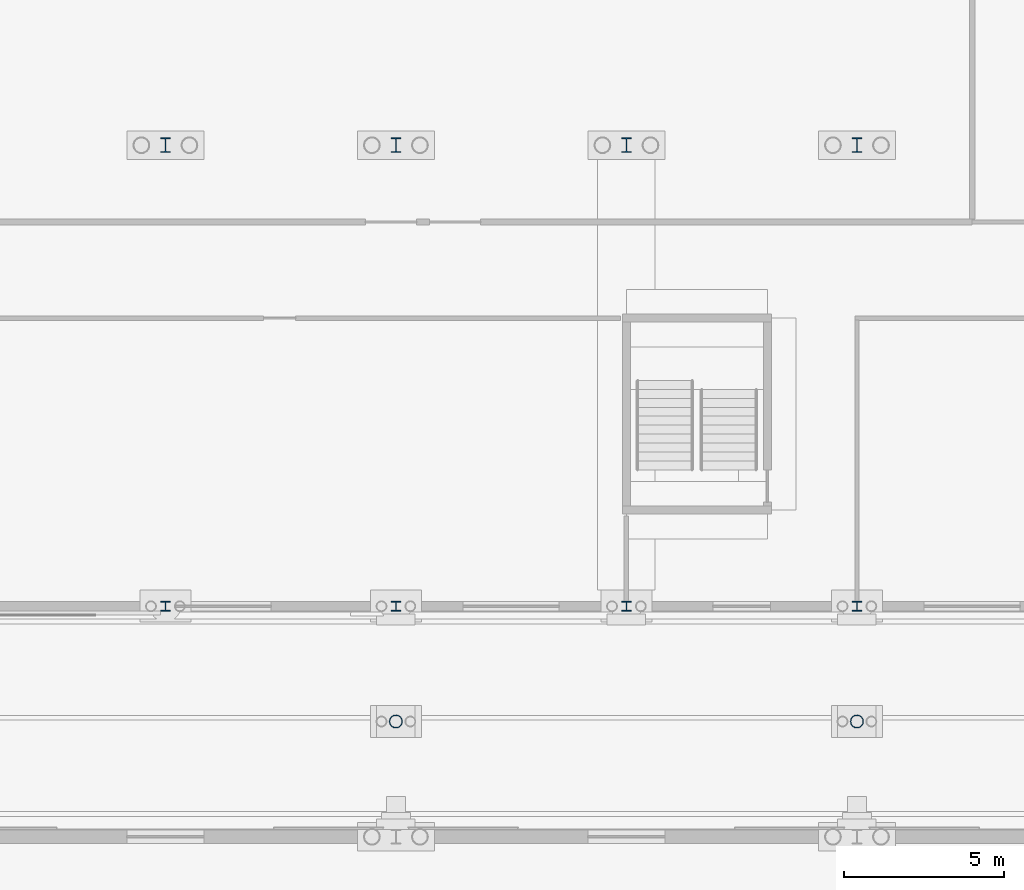
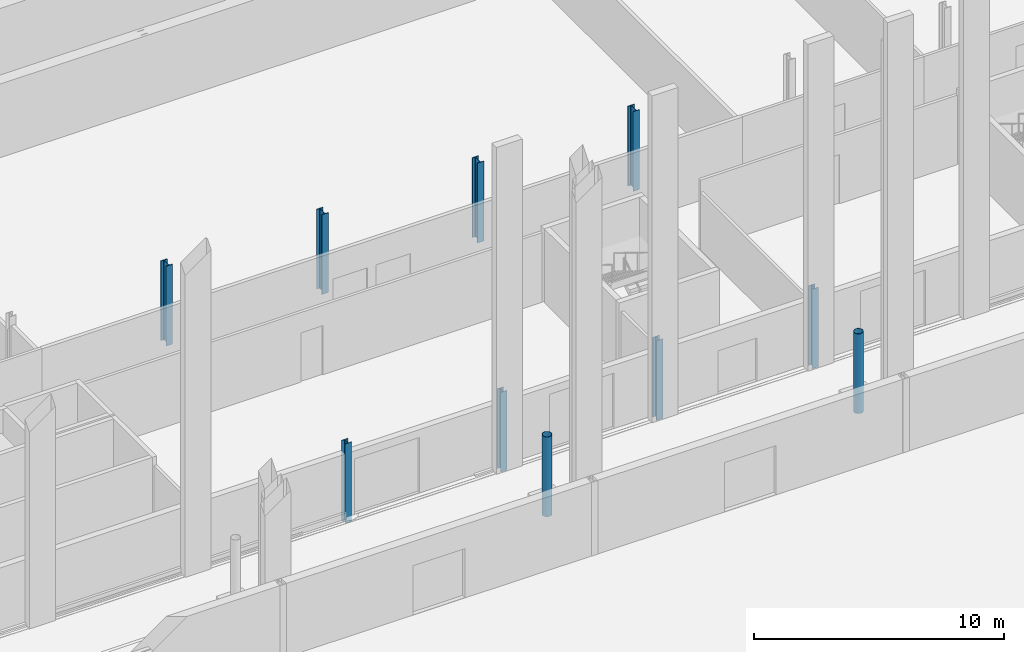
# One storey, part 65 of 148: 10 columns.
"""IFC4 building model written with IfcOpenShell, lengths in metres."""

from ifc_helpers import new_model, si_unit, direction, frame, origin, origin_2d, place, context, subcontext, project, spatial, hollow_circle, i_section, extrude, material, material_profile, profile_set, type_object, element, save


model = new_model("IFC4")

# Units and contexts
model_context = context("Model", 3, precision=1e-05, world=origin(), true_north=direction((0.0, 1.0)))
body_context = subcontext(model_context, "Body", "Model", "MODEL_VIEW")
ifc_project = project(units=[si_unit("LENGTHUNIT", "METRE"), si_unit("AREAUNIT", "SQUARE_METRE"), si_unit("VOLUMEUNIT", "CUBIC_METRE"), si_unit("PLANEANGLEUNIT", "RADIAN"), si_unit("MASSUNIT", "GRAM", prefix="KILO")], contexts=[model_context])

# Site, building, storey
site_placement = place(None, origin())
site = spatial("IfcSite", under=ifc_project, at=site_placement, CompositionType="ELEMENT")
building_placement = place(site_placement, origin())
building = spatial("IfcBuilding", under=site, at=building_placement, Name="Kupolbacken Congress Centre", CompositionType="ELEMENT")
storey_placement = place(building_placement, origin())
storey = spatial("IfcBuildingStorey", under=building, at=storey_placement, Name="L00", CompositionType="ELEMENT", Elevation=0.0)

# Columns
ifc_material_1 = material(Name="Steel S355", Category="steel")
ifc_material_profile_1 = material_profile(ifc_material_1, i_section(OverallWidth=0.300048828125, OverallDepth=0.449951171875, WebThickness=0.013916015625, FlangeThickness=0.02587890625, FilletRadius=0.027099609375, at=origin_2d()), Name="HEB 450")
ifc_profile_set_1 = profile_set([ifc_material_profile_1], Name="Steel S355")
column_type_1 = type_object("IfcColumnType", Name="C03 column HEB 450", PredefinedType="COLUMN", material=ifc_profile_set_1)
for number, where, z_axis, x_axis, name in (
    (1, (158.39990234375, 136.800048828125, -0.300048828125), (0.0, 0.0, 1.0), (1.0, 0.0, 0.0), "S/col/C-B-M1/L00"),
    (2, (165.60009765625, 136.800048828125, -0.300048828125), (0.0, 0.0, 1.0), (1.0, 0.0, 0.0), "S/col/C-B-M2/L00"),
    (3, (172.800048828125, 136.800048828125, -0.300048828125), (0.0, 0.0, 1.0), (1.0, 0.0, 0.0), "S/col/C-B-M3/L00"),
    (4, (180.0, 136.800048828125, -0.300048828125), (0.0, 0.0, 1.0), (1.0, 0.0, 0.0), "S/col/C-B-M4/L00"),
):
    element("IfcColumn", number, at=place(storey_placement, frame(where, z_axis=z_axis, x_axis=x_axis)), inside=storey, type_object=column_type_1, Name=name, PredefinedType="COLUMN", context=body_context, shape_type="SweptSolid", body=[
        extrude(i_section(OverallWidth=0.300048828125, OverallDepth=0.449951171875, WebThickness=0.013916015625, FlangeThickness=0.02587890625, FilletRadius=0.027099609375, at=origin_2d()), origin(), (0.0, 0.0, 1.0), 3.900146484375),
    ])
ifc_material_2 = material(Name="Steel S355", Category="steel")
ifc_material_profile_2 = material_profile(ifc_material_2, i_section(OverallWidth=0.300048828125, OverallDepth=0.300048828125, WebThickness=0.010986328125, FlangeThickness=0.01904296875, FilletRadius=0.027099609375, at=origin_2d()), Name="HEB 300")
ifc_profile_set_2 = profile_set([ifc_material_profile_2], Name="Steel S355")
column_type_2 = type_object("IfcColumnType", Name="C06 column HEB 300", PredefinedType="COLUMN", material=ifc_profile_set_2)
for number, where, z_axis, x_axis, name in (
    (5, (158.39990234375, 122.39990234375, -0.300048828125), (0.0, 0.0, 1.0), (1.0, 0.0, 0.0), "S/col/C-B-B2S/L00"),
    (6, (165.60009765625, 122.39990234375, -0.300048828125), (0.0, 0.0, 1.0), (1.0, 0.0, 0.0), "S/col/C-B-B3S/L00"),
    (7, (172.800048828125, 122.39990234375, -0.300048828125), (0.0, 0.0, 1.0), (1.0, 0.0, 0.0), "S/col/C-B-B4S/L00"),
    (8, (180.0, 122.39990234375, -0.300048828125), (0.0, 0.0, 1.0), (1.0, 0.0, 0.0), "S/col/C-B-B5S/L00"),
):
    element("IfcColumn", number, at=place(storey_placement, frame(where, z_axis=z_axis, x_axis=x_axis)), inside=storey, type_object=column_type_2, Name=name, PredefinedType="COLUMN", context=body_context, shape_type="SweptSolid", body=[
        extrude(i_section(OverallWidth=0.300048828125, OverallDepth=0.300048828125, WebThickness=0.010986328125, FlangeThickness=0.01904296875, FilletRadius=0.027099609375, at=origin_2d()), origin(), (0.0, 0.0, 1.0), 3.900146484375),
    ])
ifc_material_3 = material(Name="Steel S355", Category="steel")
ifc_material_profile_3 = material_profile(ifc_material_3, hollow_circle(Radius=0.203125, WallThickness=0.01611328125, at=origin_2d()), Name="CHS 406.4 x 16")
ifc_profile_set_3 = profile_set([ifc_material_profile_3], Name="Steel S355")
column_type_3 = type_object("IfcColumnType", Name="C15 roof mast CHS 406.4 x 16", PredefinedType="COLUMN", material=ifc_profile_set_3)
for number, where, z_axis, x_axis, name in (
    (9, (165.60009765625, 118.800048828125, -0.300048828125), (0.0, 0.0, 1.0), (1.0, 0.0, 0.0), "Roof mast M6N"),
    (10, (180.0, 118.800048828125, -0.300048828125), (0.0, 0.0, 1.0), (1.0, 0.0, 0.0), "Roof mast M7N"),
):
    element("IfcColumn", number, at=place(storey_placement, frame(where, z_axis=z_axis, x_axis=x_axis)), inside=storey, type_object=column_type_3, Name=name, PredefinedType="COLUMN", context=body_context, shape_type="SweptSolid", body=[
        extrude(hollow_circle(Radius=0.203125, WallThickness=0.01611328125, at=origin_2d()), origin(), (0.0, 0.0, 1.0), 3.900146484375),
    ])

save(model, "model.ifc")
